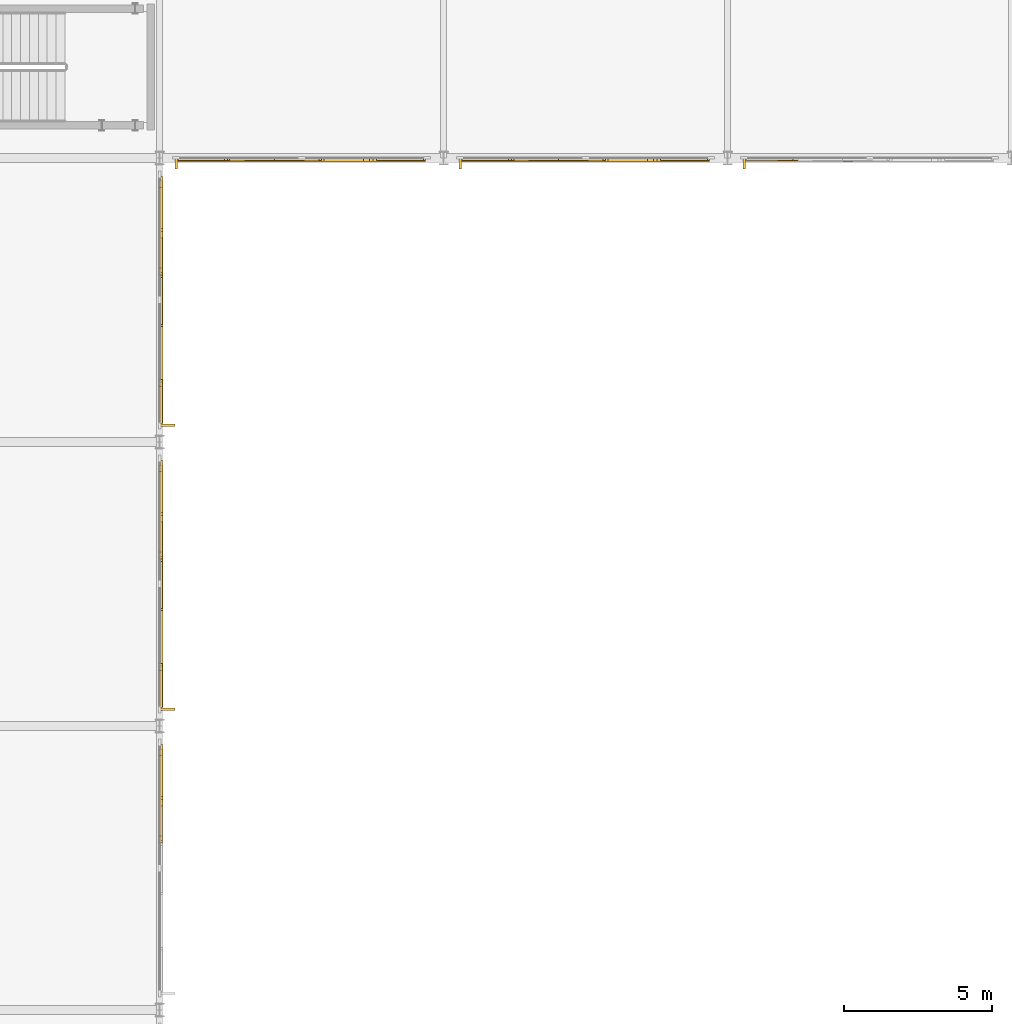
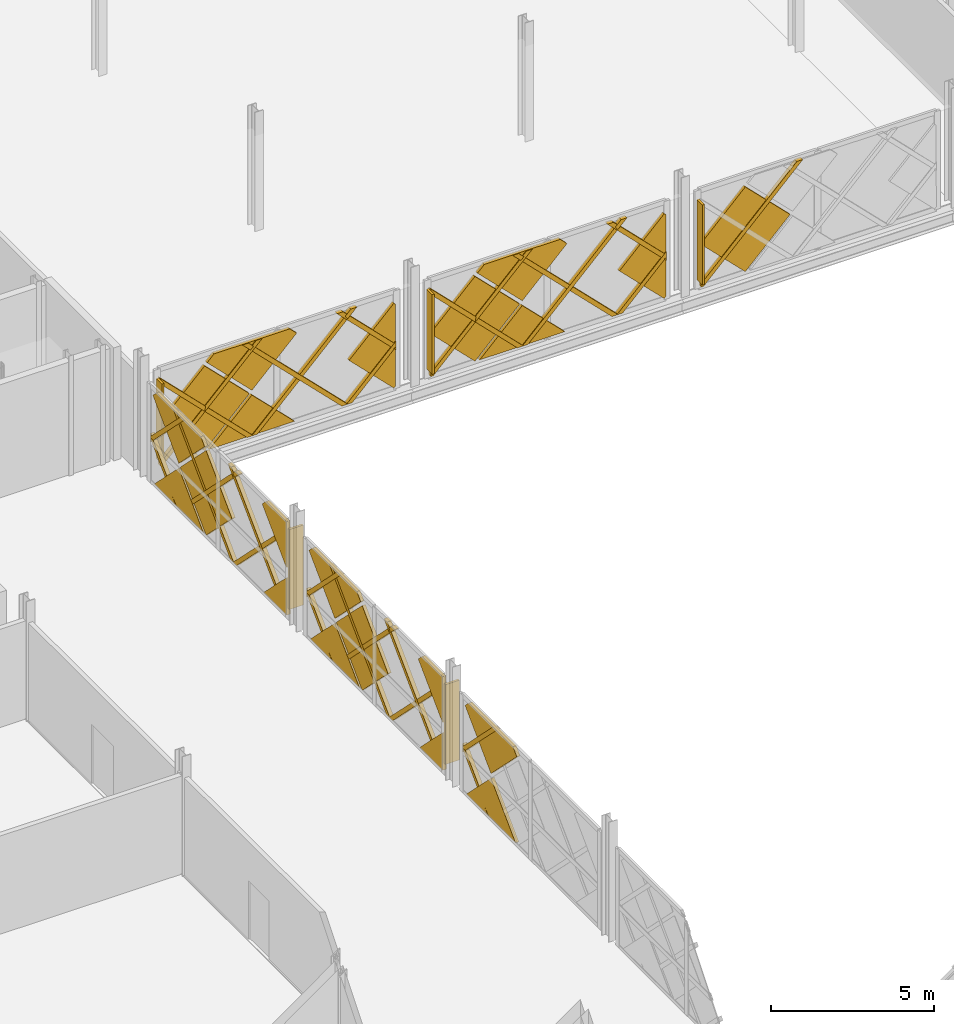
# One storey, part 90 of 101: 48 coverings, 5 shading devices.
"""IFC4 building model written with IfcOpenShell, lengths in metres."""

from ifc_helpers import new_model, si_unit, direction, frame, origin, origin_2d, place, context, subcontext, project, spatial, polyline, rectangle, outline, extrude, material, layer, layer_set, type_object, element, save


model = new_model("IFC4")

# Units and contexts
model_context = context("Model", 3, precision=1e-05, world=origin(), true_north=direction((0.0, 1.0)))
body_context = subcontext(model_context, "Body", "Model", "MODEL_VIEW")
ifc_project = project(units=[si_unit("LENGTHUNIT", "METRE"), si_unit("AREAUNIT", "SQUARE_METRE"), si_unit("VOLUMEUNIT", "CUBIC_METRE"), si_unit("PLANEANGLEUNIT", "RADIAN"), si_unit("MASSUNIT", "GRAM", prefix="KILO")], contexts=[model_context])

# Site, building, storey
site_placement = place(None, origin())
site = spatial("IfcSite", under=ifc_project, at=site_placement, CompositionType="ELEMENT")
building_placement = place(site_placement, origin())
building = spatial("IfcBuilding", under=site, at=building_placement, Name="Zevrakil Square Congress Hotel", CompositionType="ELEMENT")
storey_placement = place(building_placement, frame((0.0, 0.0, 5.39990234375)))
storey = spatial("IfcBuildingStorey", under=building, at=storey_placement, Name="L02", CompositionType="ELEMENT", Elevation=5.39990234375)

# Coverings
ifc_material_1 = material(Name="Architectural White Fibre-C GRC", Category="concrete")
ifc_layer_1 = layer(ifc_material_1, 0.06494140625)
ifc_layer_set_1 = layer_set([ifc_layer_1], Name="Architectural White Fibre-C GRC")
covering_type_1 = type_object("IfcCoveringType", Name="COV-DIA-WHITE", PredefinedType="CLADDING", material=ifc_layer_set_1)
covering_1_placement = place(storey_placement, frame((68.679931640625, 83.906005859375, 1.590087890625), z_axis=(0.0, -0.999999790873, 0.000646725815), x_axis=(0.707106707249, -0.000457304257, -0.707106707249)))
element("IfcCovering", 1, at=covering_1_placement, inside=storey, type_object=covering_type_1, Name="L02 45-degree white GRC diamond facade cassette 1534", PredefinedType="CLADDING", context=body_context, shape_type="SweptSolid", body=[
    extrude(outline(polyline([(0.0, 0.0), (2.1354765131557993, 0.0), (4.465861884739297e-07, -2.1354765131557527), (0.0, 0.0)])), origin(), (0.0, 0.0, -1.0), 0.1201171875),
])
covering_2_placement = place(storey_placement, frame((67.0, 83.906982421875, 3.27001953125), z_axis=(0.0, -0.999999812555, 0.000612282088), x_axis=(0.707161000838, -0.000432915616, -0.707052424844)))
element("IfcCovering", 2, at=covering_2_placement, inside=storey, type_object=covering_type_1, Name="L02 45-degree white GRC diamond facade cassette 1535", PredefinedType="CLADDING", context=body_context, shape_type="SweptSolid", body=[
    extrude(outline(polyline([(0.0, 0.0), (2.248551445484592, 0.0), (2.2483792228800303, -2.2487240657380205), (0.013811102109335449, -2.2485525032084603), (-0.000343756005215079, -2.2343954741070595), (0.0, 0.0)])), origin(), (0.0, 0.0, -1.0), 0.1201171875),
])
covering_3_placement = place(storey_placement, frame((73.719970703125, 83.905029296875, 0.090087890625), z_axis=(-4.3898e-08, -0.999999810877, 0.000615017515), x_axis=(-0.707106714509, 0.000434914137, 0.707106714115)))
element("IfcCovering", 3, at=covering_3_placement, inside=storey, type_object=covering_type_1, Name="L02 45-degree white GRC diamond facade cassette 1536", PredefinedType="CLADDING", context=body_context, shape_type="SweptSolid", body=[
    extrude(outline(polyline([(0.0, 0.0), (2.2487240723345248, 0.0), (2.2485518629543146, -2.248551438891992), (2.16378882664394, -2.2487240883742428), (-2.3641429092169375e-11, -0.08493566978779551), (0.0, 0.0)])), origin(), (0.0, 0.0, -1.0), 0.1201171875),
])
covering_4_placement = place(storey_placement, frame((70.27001953125, 83.906982421875, 3.360107421875), z_axis=(0.0, -0.99999975577, 0.000698899589), x_axis=(-0.707106715778, -0.000494196685, -0.707106673898)))
element("IfcCovering", 4, at=covering_4_placement, inside=storey, type_object=covering_type_1, Name="L02 45-degree white GRC diamond facade cassette 1537", PredefinedType="CLADDING", context=body_context, shape_type="SweptSolid", body=[
    extrude(outline(polyline([(0.0, 0.0), (2.2487240682977117, 0.0), (2.24855101880098, -2.2485514347902034), (1.9022481564860747, -2.248551481121282), (0.00017252307730727945, -0.34647549582236004), (0.0, 0.0)])), origin(), (0.0, 0.0, -1.0), 0.1201171875),
])
covering_5_placement = place(storey_placement, frame((78.280029296875, 83.906005859375, 1.590087890625), z_axis=(0.0, -0.999999790873, 0.000646725815), x_axis=(0.707106707249, -0.000457304257, -0.707106707249)))
element("IfcCovering", 5, at=covering_5_placement, inside=storey, type_object=covering_type_1, Name="L02 45-degree white GRC diamond facade cassette 1576", PredefinedType="CLADDING", context=body_context, shape_type="SweptSolid", body=[
    extrude(outline(polyline([(0.0, 0.0), (2.1354765131557993, 0.0), (4.465861884739297e-07, -2.1354765131557527), (0.0, 0.0)])), origin(), (0.0, 0.0, -1.0), 0.1201171875),
])
covering_6_placement = place(storey_placement, frame((76.60009765625, 83.906982421875, 3.27001953125), z_axis=(0.0, -0.999999812555, 0.000612281941), x_axis=(0.707106714489, -0.000432948753, -0.707106715341)))
element("IfcCovering", 6, at=covering_6_placement, inside=storey, type_object=covering_type_1, Name="L02 45-degree white GRC diamond facade cassette 1577", PredefinedType="CLADDING", context=body_context, shape_type="SweptSolid", body=[
    extrude(outline(polyline([(0.0, 0.0), (2.2483788053823686, 2.220446049250313e-16), (2.2485518630143098, -2.2485514388251864), (0.013983735657622232, -2.2485514362281265), (-0.00017220932723183147, -2.23439549391379), (0.0, 0.0)])), origin(), (0.0, 0.0, -1.0), 0.1201171875),
])
covering_7_placement = place(storey_placement, frame((83.320068359375, 83.905029296875, 0.090087890625), z_axis=(-4.3911e-08, -0.999999810879, 0.000615014432), x_axis=(-0.707106714509, 0.000434911966, 0.707106714116)))
element("IfcCovering", 7, at=covering_7_placement, inside=storey, type_object=covering_type_1, Name="L02 45-degree white GRC diamond facade cassette 1578", PredefinedType="CLADDING", context=body_context, shape_type="SweptSolid", body=[
    extrude(outline(polyline([(0.0, 0.0), (2.2487240723345274, -2.220446049250313e-16), (2.248551862954323, -2.2485514388919943), (2.1639614601190895, -2.2485514548663854), (0.00017263345166069338, -0.0847630362800969), (0.0, 0.0)])), origin(), (0.0, 0.0, -1.0), 0.1201171875),
])
covering_8_placement = place(storey_placement, frame((79.8701171875, 83.906982421875, 3.360107421875), z_axis=(0.0, -0.999999755771, 0.000698897268), x_axis=(-0.707106715778, -0.000494195043, -0.707106673899)))
element("IfcCovering", 8, at=covering_8_placement, inside=storey, type_object=covering_type_1, Name="L02 45-degree white GRC diamond facade cassette 1579", PredefinedType="CLADDING", context=body_context, shape_type="SweptSolid", body=[
    extrude(outline(polyline([(0.0, 0.0), (2.248724068297932, 0.0), (2.24872365227629, -2.2487240682978937), (1.9022481564859735, -2.248551481121349), (0.00017252307739307193, -0.3464754958222402), (0.0, 0.0)])), origin(), (0.0, 0.0, -1.0), 0.1201171875),
])
covering_9_placement = place(storey_placement, frame((86.199951171875, 83.906982421875, 3.27001953125), z_axis=(0.0, -0.999999812555, 0.000612282237), x_axis=(0.707161000838, -0.000432915721, -0.707052424844)))
element("IfcCovering", 9, at=covering_9_placement, inside=storey, type_object=covering_type_1, Name="L02 45-degree white GRC diamond facade cassette 1619", PredefinedType="CLADDING", context=body_context, shape_type="SweptSolid", body=[
    extrude(outline(polyline([(0.0, 0.0), (2.2485514454845923, 0.0), (2.248379222880032, -2.2487240657380214), (0.013983748838055643, -2.248379882955194), (-0.0001711092764935529, -2.234222853853795), (0.0, 0.0)])), origin(), (0.0, 0.0, -1.0), 0.1201171875),
])
covering_10_placement = place(storey_placement, frame((64.89404296875, 62.43994140625, 1.590087890625), z_axis=(0.999999790873, 0.0, 0.000646725815), x_axis=(0.000457304257, 0.707106707249, -0.707106707249)))
element("IfcCovering", 10, at=covering_10_placement, inside=storey, type_object=covering_type_1, Name="L02 45-degree white GRC diamond facade cassette 1783", PredefinedType="CLADDING", context=body_context, shape_type="SweptSolid", body=[
    extrude(outline(polyline([(0.0, 0.0), (2.1354765131557993, 0.0), (4.465861884739297e-07, -2.1354765131557527), (0.0, 0.0)])), origin(), (0.0, 0.0, -1.0), 0.1201171875),
])
covering_11_placement = place(storey_placement, frame((64.89306640625, 64.030029296875, 3.360107421875), z_axis=(0.999999828983, 0.0, 0.000584837432), x_axis=(0.000413542534, -0.707106746408, -0.707106695038)))
element("IfcCovering", 11, at=covering_11_placement, inside=storey, type_object=covering_type_1, Name="L02 45-degree white GRC diamond facade cassette 1786", PredefinedType="CLADDING", context=body_context, shape_type="SweptSolid", body=[
    extrude(outline(polyline([(0.0, 0.0), (2.2487239708892055, 0.0), (2.2485511162019938, -2.2485513373892037), (1.9162315725232468, -2.248724027067328), (-8.888497854409039e-08, -0.33249217716174995), (0.0, 0.0)])), origin(), (0.0, 0.0, -1.0), 0.1201171875),
])
covering_12_placement = place(storey_placement, frame((64.89501953125, 66.830078125, 0.080078125), z_axis=(0.999999760125, 0.0, 0.000692640526), x_axis=(0.0, -1.0, 0.0)))
element("IfcCovering", 12, at=covering_12_placement, inside=storey, type_object=covering_type_1, Name="L02 45-degree white GRC diamond facade cassette 1850", PredefinedType="CLADDING", context=body_context, shape_type="SweptSolid", body=[
    extrude(outline(polyline([(0.0, 0.0), (1.41015625, 0.0), (1.41015625, -1.4099124475784226), (0.0, 0.0)])), origin(), (0.0, 0.0, -1.0), 0.1201171875),
])
covering_13_placement = place(storey_placement, frame((64.89404296875, 72.0400390625, 1.590087890625), z_axis=(0.999999790873, 0.0, 0.000646725815), x_axis=(0.000457304257, 0.707106707249, -0.707106707249)))
element("IfcCovering", 13, at=covering_13_placement, inside=storey, type_object=covering_type_1, Name="L02 45-degree white GRC diamond facade cassette 1851", PredefinedType="CLADDING", context=body_context, shape_type="SweptSolid", body=[
    extrude(outline(polyline([(0.0, 0.0), (2.1354765131557993, 0.0), (4.465861884739297e-07, -2.1354765131557527), (0.0, 0.0)])), origin(), (0.0, 0.0, -1.0), 0.1201171875),
])
covering_14_placement = place(storey_placement, frame((64.89306640625, 70.360107421875, 3.27001953125), z_axis=(0.999999811377, 0.0, 0.000614203339), x_axis=(0.000434307387, 0.707106714488, -0.707106714509)))
element("IfcCovering", 14, at=covering_14_placement, inside=storey, type_object=covering_type_1, Name="L02 45-degree white GRC diamond facade cassette 1852", PredefinedType="CLADDING", context=body_context, shape_type="SweptSolid", body=[
    extrude(outline(polyline([(0.0, 0.0), (2.2483788053845455, -2.220446049250313e-16), (2.2485518630206376, -2.24855143882716), (-0.00017220931434658304, -2.2485514388922905), (0.0, 0.0)])), origin(), (0.0, 0.0, -1.0), 0.1201171875),
])
covering_15_placement = place(storey_placement, frame((64.89306640625, 66.909912109375, 3.360107421875), z_axis=(0.999999808817, -6.6854444e-05, 0.000614732229), x_axis=(0.000387408133, -0.707106741694, -0.707106714553)))
element("IfcCovering", 15, at=covering_15_placement, inside=storey, type_object=covering_type_1, Name="L02 45-degree white GRC diamond facade cassette 1853", PredefinedType="CLADDING", context=body_context, shape_type="SweptSolid", body=[
    extrude(outline(polyline([(0.0, 0.0), (2.1071645228758276, -4.440892098500626e-16), (0.8873360085544126, -1.2198283755844284), (-0.00017272168265564103, -0.33231955017883935), (0.0, 0.0)])), origin(), (0.0, 0.0, -1.0), 0.1201171875),
])
covering_16_placement = place(storey_placement, frame((64.89306640625, 73.6298828125, 3.360107421875), z_axis=(0.999999828983, 0.0, 0.000584837432), x_axis=(0.000413574283, -0.707052455893, -0.70716098137)))
element("IfcCovering", 16, at=covering_16_placement, inside=storey, type_object=covering_type_1, Name="L02 45-degree white GRC diamond facade cassette 1854", PredefinedType="CLADDING", context=body_context, shape_type="SweptSolid", body=[
    extrude(outline(polyline([(0.0, 0.0), (2.248551344033201, -4.440892098500626e-16), (2.2483784760755072, -2.248723964244697), (1.915886299889369, -2.2486984931924137), (-0.000198236343884578, -0.3323195294215008), (0.0, 0.0)])), origin(), (0.0, 0.0, -1.0), 0.1201171875),
])
covering_17_placement = place(storey_placement, frame((64.89501953125, 76.429931640625, 0.080078125), z_axis=(0.999999760125, 0.0, 0.000692640526), x_axis=(0.0, -1.0, 0.0)))
element("IfcCovering", 17, at=covering_17_placement, inside=storey, type_object=covering_type_1, Name="L02 45-degree white GRC diamond facade cassette 1918", PredefinedType="CLADDING", context=body_context, shape_type="SweptSolid", body=[
    extrude(outline(polyline([(0.0, 0.0), (1.409912109375, 0.0), (1.409912109375, -1.4099124475784228), (0.0, 0.0)])), origin(), (0.0, 0.0, -1.0), 0.1201171875),
])
covering_18_placement = place(storey_placement, frame((64.89404296875, 81.639892578125, 1.590087890625), z_axis=(0.999999790873, 0.0, 0.000646725815), x_axis=(0.000457304257, 0.707106707249, -0.707106707249)))
element("IfcCovering", 18, at=covering_18_placement, inside=storey, type_object=covering_type_1, Name="L02 45-degree white GRC diamond facade cassette 1919", PredefinedType="CLADDING", context=body_context, shape_type="SweptSolid", body=[
    extrude(outline(polyline([(0.0, 0.0), (2.1354765131557993, 0.0), (4.465861884739297e-07, -2.1354765131557527), (0.0, 0.0)])), origin(), (0.0, 0.0, -1.0), 0.1201171875),
])
covering_19_placement = place(storey_placement, frame((64.89306640625, 79.9599609375, 3.27001953125), z_axis=(0.999999811377, 0.0, 0.000614203339), x_axis=(0.000434274042, 0.707161000837, -0.707052424012)))
element("IfcCovering", 19, at=covering_19_placement, inside=storey, type_object=covering_type_1, Name="L02 45-degree white GRC diamond facade cassette 1920", PredefinedType="CLADDING", context=body_context, shape_type="SweptSolid", body=[
    extrude(outline(polyline([(0.0, 0.0), (2.2485514454867683, 0.0), (2.2483792228863573, -2.248724065739994), (-0.0001721960923970478, -2.248378798790573), (0.0, 0.0)])), origin(), (0.0, 0.0, -1.0), 0.1201171875),
])
covering_20_placement = place(storey_placement, frame((64.89306640625, 76.510009765625, 3.360107421875), z_axis=(0.999999808822, -6.6855783e-05, 0.000614723742), x_axis=(0.000387401185, -0.707106741694, -0.707106714557)))
element("IfcCovering", 20, at=covering_20_placement, inside=storey, type_object=covering_type_1, Name="L02 45-degree white GRC diamond facade cassette 1921", PredefinedType="CLADDING", context=body_context, shape_type="SweptSolid", body=[
    extrude(outline(polyline([(0.0, 0.0), (2.1071645228764107, 0.0), (0.8873360085541673, -1.2198283755846069), (-8.820028063460938e-08, -0.332492183678786), (0.0, 0.0)])), origin(), (0.0, 0.0, -1.0), 0.1201171875),
])
covering_21_placement = place(storey_placement, frame((64.89306640625, 83.22998046875, 3.360107421875), z_axis=(0.99999982898, 0.0, 0.000584841474), x_axis=(0.000413545392, -0.707106746408, -0.707106695036)))
element("IfcCovering", 21, at=covering_21_placement, inside=storey, type_object=covering_type_1, Name="L02 45-degree white GRC diamond facade cassette 1922", PredefinedType="CLADDING", context=body_context, shape_type="SweptSolid", body=[
    extrude(outline(polyline([(0.0, 0.0), (2.2487239708886406, -4.440892098500626e-16), (2.248551116202558, -2.2485513373886388), (1.9162315725235057, -2.2487240270671522), (-0.00017272236820967124, -0.3323195436620633), (0.0, 0.0)])), origin(), (0.0, 0.0, -1.0), 0.1201171875),
])
ifc_material_2 = material(Name="Anodised Champagne Aluminium", Category="aluminium")
ifc_layer_2 = layer(ifc_material_2, 0.0849609375)
ifc_layer_set_2 = layer_set([ifc_layer_2], Name="Anodised Champagne Aluminium")
covering_type_2 = type_object("IfcCoveringType", Name="COV-DIAGRID-45", PredefinedType="MOLDING", material=ifc_layer_set_2)
covering_22_placement = place(storey_placement, frame((65.506103515625, 83.8798828125, 0.080078125), z_axis=(-0.000393906436, -0.99999941923, 0.001003183278), x_axis=(-0.999999922419, 0.000393906237, -3.9516e-07)))
element("IfcCovering", 22, at=covering_22_placement, inside=storey, type_object=covering_type_2, Name="L02 45-degree aluminium diagrid rib 1538", PredefinedType="MOLDING", context=body_context, shape_type="SweptSolid", body=[
    extrude(outline(polyline([(0.0, 0.0), (0.08618163393892982, 0.0), (0.0861816802300238, -0.12622088452999902), (-3.312744411003638, -3.5249027743198065), (-3.524902597669162, -3.5249027743198065), (0.0, 0.0)])), origin(), (0.0, 0.0, -1.0), 0.14501953125),
])
covering_23_placement = place(storey_placement, frame((68.8662109375, 83.8798828125, 0.080078125), z_axis=(0.0, -0.999999805714, 0.000623354914), x_axis=(-1.0, 0.0, 0.0)))
element("IfcCovering", 23, at=covering_23_placement, inside=storey, type_object=covering_type_2, Name="L02 45-degree aluminium diagrid rib 1539", PredefinedType="MOLDING", context=body_context, shape_type="SweptSolid", body=[
    extrude(outline(polyline([(0.0, 0.0), (0.21240234375, 0.0), (-3.312744140625, -3.524903028588229), (-3.52490234375, -3.524903028588229), (0.0, 0.0)])), origin(), (0.0, 0.0, -1.0), 0.14501953125),
])
covering_24_placement = place(storey_placement, frame((72.22607421875, 83.8798828125, 0.080078125), z_axis=(0.000367674044, -0.999999864816, 0.000367674044), x_axis=(-0.999999932408, -0.000367674019, 1.35184e-07)))
element("IfcCovering", 24, at=covering_24_placement, inside=storey, type_object=covering_type_2, Name="L02 45-degree aluminium diagrid rib 1540", PredefinedType="MOLDING", context=body_context, shape_type="SweptSolid", body=[
    extrude(outline(polyline([(0.0, 0.0), (0.21215818878478077, 0.0), (-1.5539551831600997, -1.766113610695557), (-1.553955211840539, -1.553955421910778), (0.0, 0.0)])), origin(), (0.0, 0.0, -1.0), 0.14501953125),
])
covering_25_placement = place(storey_placement, frame((65.419921875, 83.8818359375, 3.154052734375), z_axis=(0.000249090824, -0.999999562484, 0.000901656659), x_axis=(6.2046e-08, 0.000901656702, 0.999999593508)))
element("IfcCovering", 25, at=covering_25_placement, inside=storey, type_object=covering_type_2, Name="L02 45-degree aluminium diagrid rib 1541", PredefinedType="MOLDING", context=body_context, shape_type="SweptSolid", body=[
    extrude(outline(polyline([(0.0, 0.0), (0.21215833701531478, 1.3234889800848443e-23), (-3.073974916983605, -3.2861331051745672), (-3.073974930147215, -3.073974908631377), (0.0, 0.0)])), origin(), (0.0, 0.0, -1.0), 0.14501953125),
])
covering_26_placement = place(storey_placement, frame((68.328857421875, 83.882080078125, 3.60498046875), z_axis=(0.0, -0.999999805714, 0.000623354914), x_axis=(1.0, 0.0, 0.0)))
element("IfcCovering", 26, at=covering_26_placement, inside=storey, type_object=covering_type_2, Name="L02 45-degree aluminium diagrid rib 1542", PredefinedType="MOLDING", context=body_context, shape_type="SweptSolid", body=[
    extrude(outline(polyline([(0.0, 0.0), (0.212158203125, 0.0), (3.7373046875, -3.5249030285882292), (3.525146484375, -3.5249030285882292), (0.0, 0.0)])), origin(), (0.0, 0.0, -1.0), 0.14501953125),
])
covering_27_placement = place(storey_placement, frame((71.68896484375, 83.882080078125, 3.60498046875), z_axis=(0.000298121922, -0.999999592911, 0.000851645566), x_axis=(0.999999955562, 0.000298121814, -2.53894e-07)))
element("IfcCovering", 27, at=covering_27_placement, inside=storey, type_object=covering_type_2, Name="L02 45-degree aluminium diagrid rib 1543", PredefinedType="MOLDING", context=body_context, shape_type="SweptSolid", body=[
    extrude(outline(polyline([(0.0, 0.0), (0.21215819369704136, 0.0), (2.0910645460484396, -1.8786622597630018), (2.091064527192522, -2.091064734406543), (0.0, 0.0)])), origin(), (0.0, 0.0, -1.0), 0.14501953125),
])
covering_28_placement = place(storey_placement, frame((75.106201171875, 83.8798828125, 0.080078125), z_axis=(-0.000393906436, -0.99999941923, 0.001003183278), x_axis=(-0.999999922419, 0.000393906237, -3.9516e-07)))
element("IfcCovering", 28, at=covering_28_placement, inside=storey, type_object=covering_type_2, Name="L02 45-degree aluminium diagrid rib 1580", PredefinedType="MOLDING", context=body_context, shape_type="SweptSolid", body=[
    extrude(outline(polyline([(0.0, 0.0), (0.08618163393892982, 0.0), (0.0861816802300238, -0.12622088452999902), (-3.312744411003638, -3.5249027743198065), (-3.524902597669162, -3.5249027743198065), (0.0, 0.0)])), origin(), (0.0, 0.0, -1.0), 0.14501953125),
])
covering_29_placement = place(storey_placement, frame((78.466064453125, 83.8798828125, 0.080078125), z_axis=(0.0, -0.999999805714, 0.000623354914), x_axis=(-1.0, 0.0, 0.0)))
element("IfcCovering", 29, at=covering_29_placement, inside=storey, type_object=covering_type_2, Name="L02 45-degree aluminium diagrid rib 1581", PredefinedType="MOLDING", context=body_context, shape_type="SweptSolid", body=[
    extrude(outline(polyline([(0.0, 0.0), (0.212158203125, 0.0), (-3.312744140625, -3.524903028588229), (-3.525146484375, -3.524903028588229), (0.0, 0.0)])), origin(), (0.0, 0.0, -1.0), 0.14501953125),
])
covering_30_placement = place(storey_placement, frame((81.826171875, 83.8798828125, 0.080078125), z_axis=(0.000367701083, -0.999999864796, 0.000367701083), x_axis=(-0.999999932398, -0.000367701058, 1.35204e-07)))
element("IfcCovering", 30, at=covering_30_placement, inside=storey, type_object=covering_type_2, Name="L02 45-degree aluminium diagrid rib 1582", PredefinedType="MOLDING", context=body_context, shape_type="SweptSolid", body=[
    extrude(outline(polyline([(0.0, 0.0), (0.2121581887826715, 0.0), (-1.5537110425340446, -1.7661136107110047), (-1.5537110712187026, -1.5539554219283351), (0.0, 0.0)])), origin(), (0.0, 0.0, -1.0), 0.14501953125),
])
covering_31_placement = place(storey_placement, frame((75.02001953125, 83.8818359375, 3.154052734375), z_axis=(0.000249090824, -0.999999562484, 0.000901656659), x_axis=(6.2046e-08, 0.000901656702, 0.999999593508)))
element("IfcCovering", 31, at=covering_31_placement, inside=storey, type_object=covering_type_2, Name="L02 45-degree aluminium diagrid rib 1583", PredefinedType="MOLDING", context=body_context, shape_type="SweptSolid", body=[
    extrude(outline(polyline([(0.0, 0.0), (0.21215833701531478, 1.3234889800848443e-23), (-3.073974916983605, -3.2861331051745672), (-3.073974930147215, -3.073974908631377), (0.0, 0.0)])), origin(), (0.0, 0.0, -1.0), 0.14501953125),
])
covering_32_placement = place(storey_placement, frame((77.928955078125, 83.882080078125, 3.60498046875), z_axis=(0.0, -0.999999805714, 0.000623354914), x_axis=(1.0, 0.0, 0.0)))
element("IfcCovering", 32, at=covering_32_placement, inside=storey, type_object=covering_type_2, Name="L02 45-degree aluminium diagrid rib 1584", PredefinedType="MOLDING", context=body_context, shape_type="SweptSolid", body=[
    extrude(outline(polyline([(0.0, 0.0), (0.212158203125, 0.0), (3.737060546875, -3.5249030285882292), (3.52490234375, -3.5249030285882292), (0.0, 0.0)])), origin(), (0.0, 0.0, -1.0), 0.14501953125),
])
covering_33_placement = place(storey_placement, frame((81.288818359375, 83.882080078125, 3.60498046875), z_axis=(0.000297959755, -0.999999593114, 0.000851465065), x_axis=(0.99999995561, 0.000297959647, -2.53702e-07)))
element("IfcCovering", 33, at=covering_33_placement, inside=storey, type_object=covering_type_2, Name="L02 45-degree aluminium diagrid rib 1585", PredefinedType="MOLDING", context=body_context, shape_type="SweptSolid", body=[
    extrude(outline(polyline([(0.0, 0.0), (0.2124023343214581, 1.124448645189272e-23), (2.0910645459473733, -1.878662259875495), (2.0910645270902894, -2.091064734507616), (0.0, 0.0)])), origin(), (0.0, 0.0, -1.0), 0.14501953125),
])
covering_34_placement = place(storey_placement, frame((84.7060546875, 83.8798828125, 0.080078125), z_axis=(-0.000393914634, -0.999999419247, 0.0010031639), x_axis=(-0.999999922416, 0.000393914436, -3.95161e-07)))
element("IfcCovering", 34, at=covering_34_placement, inside=storey, type_object=covering_type_2, Name="L02 45-degree aluminium diagrid rib 1622", PredefinedType="MOLDING", context=body_context, shape_type="SweptSolid", body=[
    extrude(outline(polyline([(0.0, 0.0), (0.085937493332593, 0.0), (0.0859375396256139, -0.12622088452772176), (-3.31274441097701, -3.52490277434575), (-3.5251467382479076, -3.52490277434575), (0.0, 0.0)])), origin(), (0.0, 0.0, -1.0), 0.14501953125),
])
covering_35_placement = place(storey_placement, frame((64.919921875, 62.626220703125, 0.080078125), z_axis=(0.999999913476, 0.000293980909, 0.000294319207), x_axis=(0.000293980897, -0.999999956788, 8.6524e-08)))
element("IfcCovering", 35, at=covering_35_placement, inside=storey, type_object=covering_type_2, Name="L02 45-degree aluminium diagrid rib 1789", PredefinedType="MOLDING", context=body_context, shape_type="SweptSolid", body=[
    extrude(outline(polyline([(0.0, 0.0), (0.21240233457158741, 0.0), (-1.5537110046395635, -1.7661134921773871), (-1.553711022996389, -1.5539552982413625), (0.0, 0.0)])), origin(), (0.0, 0.0, -1.0), 0.14501953125),
])
covering_36_placement = place(storey_placement, frame((64.917724609375, 62.098876953125, 3.59521484375), z_axis=(0.999999554006, 0.000234928981, 0.000914765827), x_axis=(-0.000234928883, 0.999999972404, -2.14905e-07)))
element("IfcCovering", 36, at=covering_36_placement, inside=storey, type_object=covering_type_2, Name="L02 45-degree aluminium diagrid rib 1792", PredefinedType="MOLDING", context=body_context, shape_type="SweptSolid", body=[
    extrude(outline(polyline([(0.0, 0.0), (0.21215819727032179, -5.6157808774107894e-24), (2.0810547449283985, -1.8688968190892923), (2.081054733219042, -2.0812992973020044), (0.0, 0.0)])), origin(), (0.0, 0.0, -1.0), 0.14501953125),
])
covering_37_placement = place(storey_placement, frame((64.919921875, 65.506103515625, 0.080078125), z_axis=(0.999999883794, 0.000187841865, 0.000443989862), x_axis=(0.000187841846, -0.999999982358, 8.34e-08)))
element("IfcCovering", 37, at=covering_37_placement, inside=storey, type_object=covering_type_2, Name="L02 45-degree aluminium diagrid rib 1855", PredefinedType="MOLDING", context=body_context, shape_type="SweptSolid", body=[
    extrude(outline(polyline([(0.0, 0.0), (0.08618163910455907, 0.0), (0.0861816496313512, -0.12622069068424482), (-3.3027344363086577, -3.515137347849475), (-3.5148926356907024, -3.515137347849475), (0.0, 0.0)])), origin(), (0.0, 0.0, -1.0), 0.14501953125),
])
covering_38_placement = place(storey_placement, frame((64.919921875, 68.8662109375, 0.080078125), z_axis=(0.999999804633, 0.0, 0.000625086695), x_axis=(0.0, -1.0, 0.0)))
element("IfcCovering", 38, at=covering_38_placement, inside=storey, type_object=covering_type_2, Name="L02 45-degree aluminium diagrid rib 1856", PredefinedType="MOLDING", context=body_context, shape_type="SweptSolid", body=[
    extrude(outline(polyline([(0.0, 0.0), (0.21240234375, 0.0), (-3.302734375, -3.515137405490821), (-3.514892578125, -3.515137405490821), (0.0, 0.0)])), origin(), (0.0, 0.0, -1.0), 0.14501953125),
])
covering_39_placement = place(storey_placement, frame((64.919921875, 72.22607421875, 0.080078125), z_axis=(0.999999913482, 0.000294139249, 0.000294139249), x_axis=(0.000294139237, -0.999999956741, 8.6518e-08)))
element("IfcCovering", 39, at=covering_39_placement, inside=storey, type_object=covering_type_2, Name="L02 45-degree aluminium diagrid rib 1857", PredefinedType="MOLDING", context=body_context, shape_type="SweptSolid", body=[
    extrude(outline(polyline([(0.0, 0.0), (0.2121581939472589, 0.0), (-1.553955145347468, -1.7661134920951609), (-1.5539551637029505, -1.5539552981479028), (0.0, 0.0)])), origin(), (0.0, 0.0, -1.0), 0.14501953125),
])
covering_40_placement = place(storey_placement, frame((64.918212890625, 65.419921875, 3.154052734375), z_axis=(0.99999958606, 0.000287477056, 0.000863270454), x_axis=(-0.000863270513, 8.2643e-08, 0.999999627382)))
element("IfcCovering", 40, at=covering_40_placement, inside=storey, type_object=covering_type_2, Name="L02 45-degree aluminium diagrid rib 1858", PredefinedType="MOLDING", context=body_context, shape_type="SweptSolid", body=[
    extrude(outline(polyline([(0.0, 0.0), (0.21215833483042407, 1.3234889800848443e-23), (-3.0739746676964605, -3.286133202330571), (-3.073974685229852, -3.0739750079722734), (0.0, 0.0)])), origin(), (0.0, 0.0, -1.0), 0.14501953125),
])
covering_41_placement = place(storey_placement, frame((64.917724609375, 68.3388671875, 3.59521484375), z_axis=(0.999999804633, 0.0, 0.000625086695), x_axis=(0.0, 1.0, 0.0)))
element("IfcCovering", 41, at=covering_41_placement, inside=storey, type_object=covering_type_2, Name="L02 45-degree aluminium diagrid rib 1859", PredefinedType="MOLDING", context=body_context, shape_type="SweptSolid", body=[
    extrude(outline(polyline([(0.0, 0.0), (0.212158203125, 0.0), (3.727294921875, -3.5151374054908215), (3.51513671875, -3.5151374054908215), (0.0, 0.0)])), origin(), (0.0, 0.0, -1.0), 0.14501953125),
])
covering_42_placement = place(storey_placement, frame((64.917724609375, 71.698974609375, 3.59521484375), z_axis=(0.999999554006, 0.000234928981, 0.000914765827), x_axis=(-0.000234928883, 0.999999972404, -2.14905e-07)))
element("IfcCovering", 42, at=covering_42_placement, inside=storey, type_object=covering_type_2, Name="L02 45-degree aluminium diagrid rib 1860", PredefinedType="MOLDING", context=body_context, shape_type="SweptSolid", body=[
    extrude(outline(polyline([(0.0, 0.0), (0.21215819727032179, -5.6157808774107894e-24), (2.0810547449283985, -1.8688968190892923), (2.081054733219042, -2.0812992973020044), (0.0, 0.0)])), origin(), (0.0, 0.0, -1.0), 0.14501953125),
])
covering_43_placement = place(storey_placement, frame((64.919921875, 75.106201171875, 0.080078125), z_axis=(0.999999883794, 0.000187841865, 0.000443989862), x_axis=(0.000187841846, -0.999999982358, 8.34e-08)))
element("IfcCovering", 43, at=covering_43_placement, inside=storey, type_object=covering_type_2, Name="L02 45-degree aluminium diagrid rib 1923", PredefinedType="MOLDING", context=body_context, shape_type="SweptSolid", body=[
    extrude(outline(polyline([(0.0, 0.0), (0.08618163910455907, 0.0), (0.0861816496313512, -0.12622069068424482), (-3.3027344363086577, -3.515137347849475), (-3.5148926356907024, -3.515137347849475), (0.0, 0.0)])), origin(), (0.0, 0.0, -1.0), 0.14501953125),
])
covering_44_placement = place(storey_placement, frame((64.919921875, 78.466064453125, 0.080078125), z_axis=(0.999999804633, 0.0, 0.000625086695), x_axis=(0.0, -1.0, 0.0)))
element("IfcCovering", 44, at=covering_44_placement, inside=storey, type_object=covering_type_2, Name="L02 45-degree aluminium diagrid rib 1924", PredefinedType="MOLDING", context=body_context, shape_type="SweptSolid", body=[
    extrude(outline(polyline([(0.0, 0.0), (0.212158203125, 0.0), (-3.302734375, -3.515137405490821), (-3.51513671875, -3.515137405490821), (0.0, 0.0)])), origin(), (0.0, 0.0, -1.0), 0.14501953125),
])
covering_45_placement = place(storey_placement, frame((64.919921875, 81.826171875, 0.080078125), z_axis=(0.999999913469, 0.000294160881, 0.000294160881), x_axis=(0.000294160868, -0.999999956735, 8.6531e-08)))
element("IfcCovering", 45, at=covering_45_placement, inside=storey, type_object=covering_type_2, Name="L02 45-degree aluminium diagrid rib 1925", PredefinedType="MOLDING", context=body_context, shape_type="SweptSolid", body=[
    extrude(outline(polyline([(0.0, 0.0), (0.21215819394590898, 2.8078904387053947e-24), (-1.5537110047217924, -1.7661134921050472), (-1.5537110230799749, -1.5539552981591391), (0.0, 0.0)])), origin(), (0.0, 0.0, -1.0), 0.14501953125),
])
covering_46_placement = place(storey_placement, frame((64.918212890625, 75.02001953125, 3.154052734375), z_axis=(0.99999958606, 0.000287477056, 0.000863270454), x_axis=(-0.000863270513, 8.2643e-08, 0.999999627382)))
element("IfcCovering", 46, at=covering_46_placement, inside=storey, type_object=covering_type_2, Name="L02 45-degree aluminium diagrid rib 1926", PredefinedType="MOLDING", context=body_context, shape_type="SweptSolid", body=[
    extrude(outline(polyline([(0.0, 0.0), (0.21215833483042407, 1.3234889800848443e-23), (-3.0739746676964605, -3.286133202330571), (-3.073974685229852, -3.0739750079722734), (0.0, 0.0)])), origin(), (0.0, 0.0, -1.0), 0.14501953125),
])
covering_47_placement = place(storey_placement, frame((64.917724609375, 77.93896484375, 3.59521484375), z_axis=(0.999999804633, 0.0, 0.000625086695), x_axis=(0.0, 1.0, 0.0)))
element("IfcCovering", 47, at=covering_47_placement, inside=storey, type_object=covering_type_2, Name="L02 45-degree aluminium diagrid rib 1927", PredefinedType="MOLDING", context=body_context, shape_type="SweptSolid", body=[
    extrude(outline(polyline([(0.0, 0.0), (0.212158203125, 0.0), (3.72705078125, -3.5151374054908215), (3.514892578125, -3.5151374054908215), (0.0, 0.0)])), origin(), (0.0, 0.0, -1.0), 0.14501953125),
])
covering_48_placement = place(storey_placement, frame((64.917724609375, 81.298828125, 3.59521484375), z_axis=(0.999999554006, 0.000234928981, 0.000914765827), x_axis=(-0.000234928883, 0.999999972404, -2.14905e-07)))
element("IfcCovering", 48, at=covering_48_placement, inside=storey, type_object=covering_type_2, Name="L02 45-degree aluminium diagrid rib 1928", PredefinedType="MOLDING", context=body_context, shape_type="SweptSolid", body=[
    extrude(outline(polyline([(0.0, 0.0), (0.21215819727032179, -5.6157808774107894e-24), (2.0810547449283985, -1.8688968190892923), (2.081054733219042, -2.0812992973020044), (0.0, 0.0)])), origin(), (0.0, 0.0, -1.0), 0.14501953125),
])

# Shading devices
ifc_material_3 = material(Name="Aluminium Anodised Bronze", Category="aluminium")
shading_device_type_1 = type_object("IfcShadingDeviceType", Name="SHD-FIN-35", PredefinedType="JALOUSIE", material=ifc_material_3)
for number, where, z_axis, x_axis, name in (
    (49, (65.360107421875, 83.804931640625, 0.342529296875), (0.0, 0.0, 1.0), (0.0, -1.0, 0.0), "L02 aluminium solar shading fin 70"),
    (50, (74.9599609375, 83.804931640625, 0.342529296875), (0.0, 0.0, 1.0), (0.0, -1.0, 0.0), "L02 aluminium solar shading fin 74"),
    (51, (84.56005859375, 83.804931640625, 0.342529296875), (0.0, 0.0, 1.0), (0.0, -1.0, 0.0), "L02 aluminium solar shading fin 78"),
):
    element("IfcShadingDevice", number, at=place(storey_placement, frame(where, z_axis=z_axis, x_axis=x_axis)), inside=storey, type_object=shading_device_type_1, Name=name, PredefinedType="JALOUSIE", context=body_context, shape_type="SweptSolid", body=[
        extrude(rectangle(XDim=0.35009765625, YDim=0.080078125, at=origin_2d()), origin(), (0.0, 0.0, 1.0), 3.0),
    ])
ifc_material_4 = material(Name="Aluminium Anodised Bronze", Category="aluminium")
shading_device_type_2 = type_object("IfcShadingDeviceType", Name="SHD-FIN-50", PredefinedType="JALOUSIE", material=ifc_material_4)
for number, where, z_axis, x_axis, name in (
    (52, (65.070068359375, 65.360107421875, 0.337646484375), (0.0, 0.0, 1.0), (1.0, 0.0, 0.0), "L02 aluminium solar shading fin 101"),
    (53, (65.070068359375, 74.9599609375, 0.337646484375), (0.0, 0.0, 1.0), (1.0, 0.0, 0.0), "L02 aluminium solar shading fin 107"),
):
    element("IfcShadingDevice", number, at=place(storey_placement, frame(where, z_axis=z_axis, x_axis=x_axis)), inside=storey, type_object=shading_device_type_2, Name=name, PredefinedType="JALOUSIE", context=body_context, shape_type="SweptSolid", body=[
        extrude(rectangle(XDim=0.5, YDim=0.080078125, at=origin_2d()), origin(), (0.0, 0.0, 1.0), 3.0),
    ])

save(model, "model.ifc")
